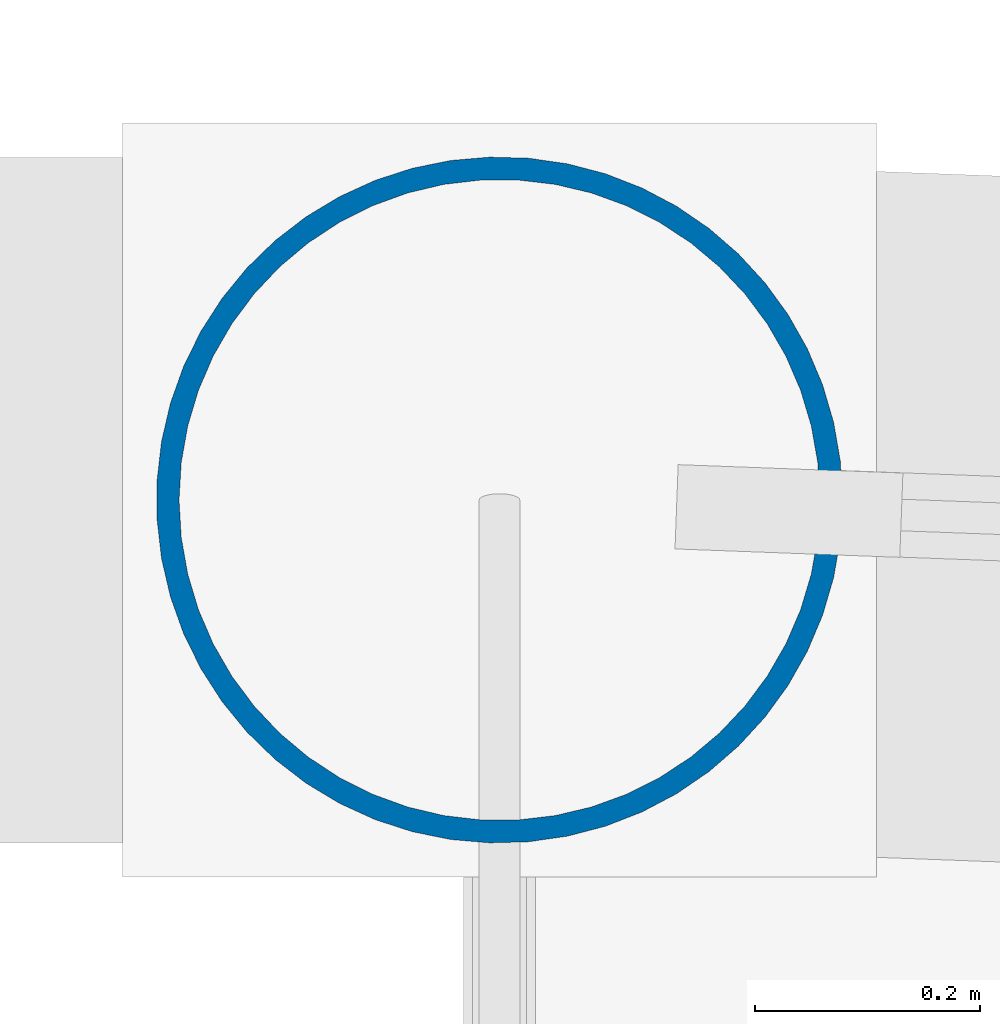
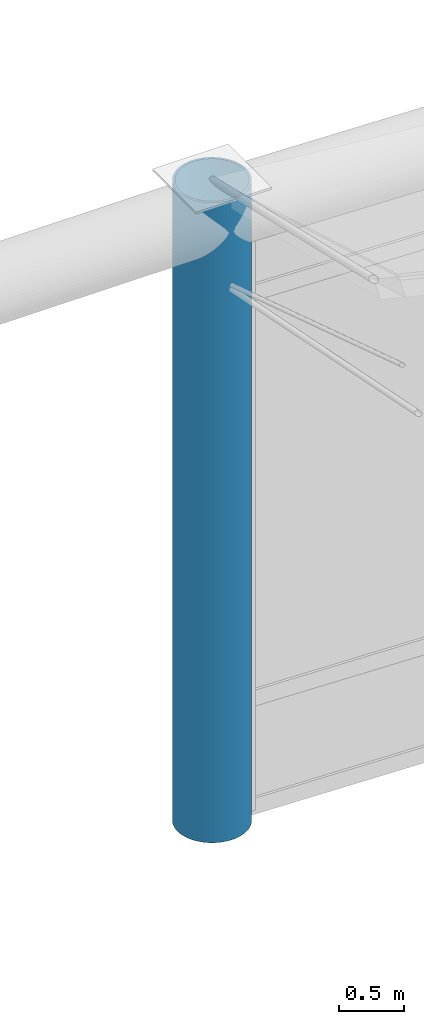
# One storey, part 16 of 101: 1 column.
"""IFC4 building model written with IfcOpenShell, lengths in metres."""

from ifc_helpers import new_model, si_unit, direction, frame, origin, origin_2d, place, context, subcontext, project, spatial, hollow_circle, extrude, material, material_profile, profile_set, type_object, element, save


model = new_model("IFC4")

# Units and contexts
model_context = context("Model", 3, precision=1e-05, world=origin(), true_north=direction((0.0, 1.0)))
body_context = subcontext(model_context, "Body", "Model", "MODEL_VIEW")
ifc_project = project(units=[si_unit("LENGTHUNIT", "METRE"), si_unit("AREAUNIT", "SQUARE_METRE"), si_unit("VOLUMEUNIT", "CUBIC_METRE"), si_unit("PLANEANGLEUNIT", "RADIAN"), si_unit("MASSUNIT", "GRAM", prefix="KILO"), si_unit("THERMODYNAMICTEMPERATUREUNIT", "KELVIN"), si_unit("POWERUNIT", "WATT")], contexts=[model_context])

# Site, building, storey
site_placement = place(None, origin())
site = spatial("IfcSite", under=ifc_project, at=site_placement, CompositionType="ELEMENT")
building_placement = place(site_placement, origin())
building = spatial("IfcBuilding", under=site, at=building_placement, Name="Tembeka Court Mobility Hub", CompositionType="ELEMENT")
storey_placement = place(building_placement, frame((0.0, 0.0, 5.39990234375)))
storey = spatial("IfcBuildingStorey", under=building, at=storey_placement, Name="L01", CompositionType="ELEMENT", Elevation=5.39990234375)

# Column
ifc_material = material(Name="Steel S355", Category="steel")
ifc_material_profile = material_profile(ifc_material, hollow_circle(Radius=0.304931640625, WallThickness=0.02001953125, at=origin_2d()), Name="CHS 610x20")
ifc_profile_set = profile_set([ifc_material_profile], Name="Steel S355")
column_type = type_object("IfcColumnType", Name="COL-C07", PredefinedType="COLUMN", material=ifc_profile_set)
column_placement = place(storey_placement, frame((123.89990234375, 118.800048828125, 0.0), z_axis=(0.0, 0.0, 1.0), x_axis=(1.0, 0.0, 0.0)))
element("IfcColumn", 1, at=column_placement, inside=storey, type_object=column_type, Name="Column C07 (L01-170)", PredefinedType="COLUMN", context=body_context, shape_type="SweptSolid", body=[
    extrude(hollow_circle(Radius=0.304931640625, WallThickness=0.02001953125, at=origin_2d()), origin(), (0.0, 0.0, 1.0), 6.0),
])

save(model, "model.ifc")
